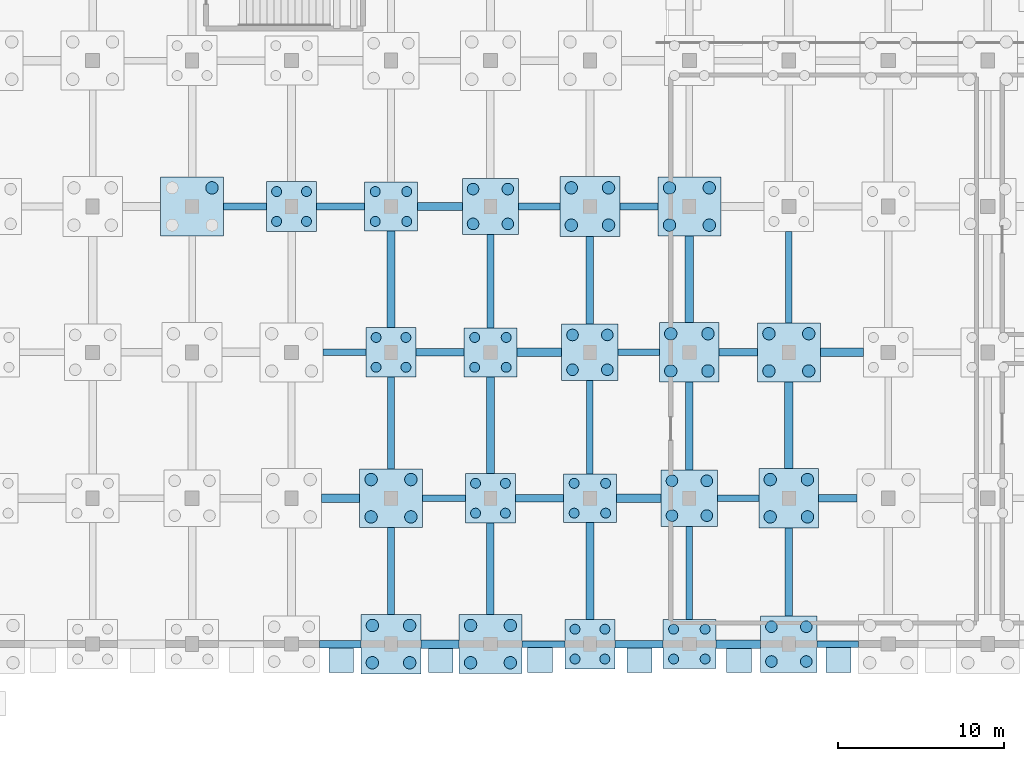
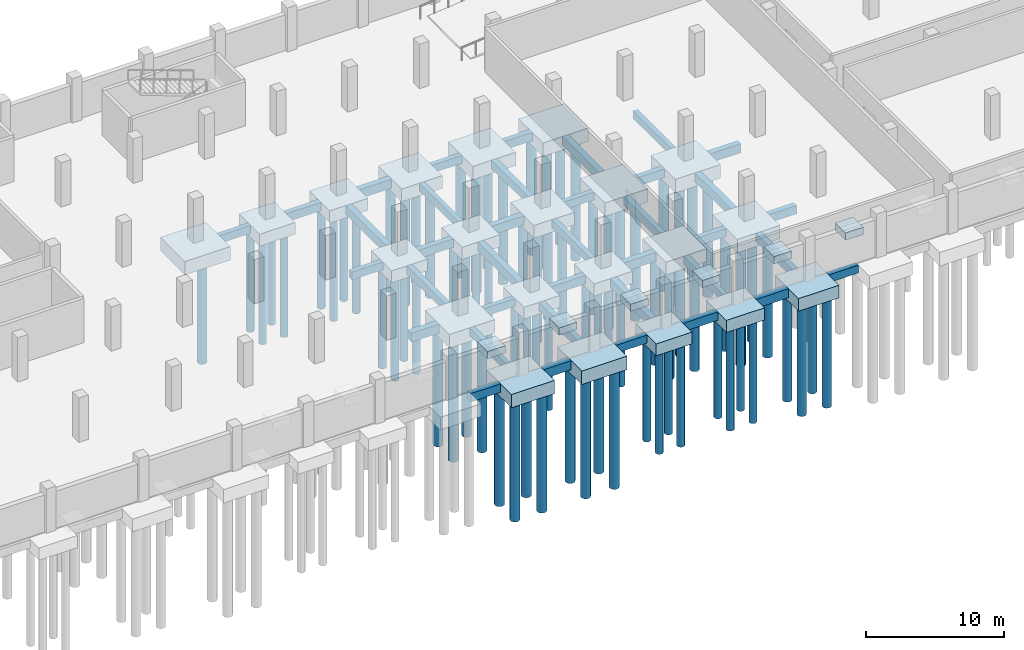
# One storey, part 5 of 28: 81 piles, 65 footings.
"""IFC4 building model written with IfcOpenShell, lengths in metres."""

from ifc_helpers import new_model, si_unit, direction, frame, origin, origin_2d, place, context, subcontext, project, spatial, rectangle, circle, extrude, material, material_profile, profile_set, type_object, element, save


model = new_model("IFC4")

# Units and contexts
model_context = context("Model", 3, precision=1e-05, world=origin(), true_north=direction((0.0, 1.0)))
body_context = subcontext(model_context, "Body", "Model", "MODEL_VIEW")
ifc_project = project(units=[si_unit("LENGTHUNIT", "METRE"), si_unit("AREAUNIT", "SQUARE_METRE"), si_unit("VOLUMEUNIT", "CUBIC_METRE"), si_unit("PLANEANGLEUNIT", "RADIAN"), si_unit("MASSUNIT", "GRAM", prefix="KILO")], contexts=[model_context])

# Site, building, storey
site_placement = place(None, origin())
site = spatial("IfcSite", under=ifc_project, at=site_placement, CompositionType="ELEMENT")
building_placement = place(site_placement, origin())
building = spatial("IfcBuilding", under=site, at=building_placement, Name="Varnakota Cinema and Media Centre", CompositionType="ELEMENT")
storey_placement = place(building_placement, frame((0.0, 0.0, -4.199951171875)))
storey = spatial("IfcBuildingStorey", under=building, at=storey_placement, Name="B1", CompositionType="ELEMENT", Elevation=-4.199951171875)

# Footings
ifc_material_1 = material(Name="Concrete M35", Category="concrete")
ifc_material_profile_1 = material_profile(ifc_material_1, rectangle(XDim=0.39990234375, YDim=0.699951171875, at=origin_2d()), Name="FB 400x700")
ifc_profile_set_1 = profile_set([ifc_material_profile_1], Name="Concrete M35")
footing_type_1 = type_object("IfcFootingType", Name="FB-400x700", PredefinedType="FOOTING_BEAM", material=ifc_profile_set_1)
footing_1_placement = place(storey_placement, frame((106.89990234375, 0.0, -0.60009765625), z_axis=(1.0, 0.0, 0.0), x_axis=(0.0, 1.0, 0.0)))
element("IfcFooting", 1, at=footing_1_placement, inside=storey, type_object=footing_type_1, Name="Foundation tie beam Q-R/1", PredefinedType="FOOTING_BEAM", context=body_context, shape_type="SweptSolid", body=[
    extrude(rectangle(XDim=0.39990234375, YDim=0.699951171875, at=origin_2d()), origin(), (0.0, 0.0, 1.0), 2.60009765625),
])
footing_2_placement = place(storey_placement, frame((124.699951171875, 0.0, -0.60009765625), z_axis=(1.0, 0.0, 0.0), x_axis=(0.0, 1.0, 0.0)))
element("IfcFooting", 2, at=footing_2_placement, inside=storey, type_object=footing_type_1, Name="Foundation tie beam T-U/1", PredefinedType="FOOTING_BEAM", context=body_context, shape_type="SweptSolid", body=[
    extrude(rectangle(XDim=0.39990234375, YDim=0.699951171875, at=origin_2d()), origin(), (0.0, 0.0, 1.0), 2.5),
])
footing_3_placement = place(storey_placement, frame((100.89990234375, 8.800048828125, -0.60009765625), z_axis=(1.0, 0.0, 0.0), x_axis=(0.0, 1.0, 0.0)))
element("IfcFooting", 3, at=footing_3_placement, inside=storey, type_object=footing_type_1, Name="Foundation tie beam P-Q/2", PredefinedType="FOOTING_BEAM", context=body_context, shape_type="SweptSolid", body=[
    extrude(rectangle(XDim=0.39990234375, YDim=0.699951171875, at=origin_2d()), origin(), (0.0, 0.0, 1.0), 2.60009765625),
])
footing_4_placement = place(storey_placement, frame((118.699951171875, 8.800048828125, -0.60009765625), z_axis=(1.0, 0.0, 0.0), x_axis=(0.0, 1.0, 0.0)))
element("IfcFooting", 4, at=footing_4_placement, inside=storey, type_object=footing_type_1, Name="Foundation tie beam S-T/2", PredefinedType="FOOTING_BEAM", context=body_context, shape_type="SweptSolid", body=[
    extrude(rectangle(XDim=0.39990234375, YDim=0.699951171875, at=origin_2d()), origin(), (0.0, 0.0, 1.0), 2.5),
])
footing_5_placement = place(storey_placement, frame((94.89990234375, 17.60009765625, -0.60009765625), z_axis=(1.0, 0.0, 0.0), x_axis=(0.0, 1.0, 0.0)))
element("IfcFooting", 5, at=footing_5_placement, inside=storey, type_object=footing_type_1, Name="Foundation tie beam N-P/3", PredefinedType="FOOTING_BEAM", context=body_context, shape_type="SweptSolid", body=[
    extrude(rectangle(XDim=0.39990234375, YDim=0.699951171875, at=origin_2d()), origin(), (0.0, 0.0, 1.0), 2.60009765625),
])
footing_6_placement = place(storey_placement, frame((112.699951171875, 17.60009765625, -0.60009765625), z_axis=(1.0, 0.0, 0.0), x_axis=(0.0, 1.0, 0.0)))
element("IfcFooting", 6, at=footing_6_placement, inside=storey, type_object=footing_type_1, Name="Foundation tie beam R-S/3", PredefinedType="FOOTING_BEAM", context=body_context, shape_type="SweptSolid", body=[
    extrude(rectangle(XDim=0.39990234375, YDim=0.699951171875, at=origin_2d()), origin(), (0.0, 0.0, 1.0), 2.5),
])
footing_7_placement = place(storey_placement, frame((88.89990234375, 26.39990234375, -0.60009765625), z_axis=(1.0, 0.0, 0.0), x_axis=(0.0, 1.0, 0.0)))
element("IfcFooting", 7, at=footing_7_placement, inside=storey, type_object=footing_type_1, Name="Foundation tie beam M-N/4", PredefinedType="FOOTING_BEAM", context=body_context, shape_type="SweptSolid", body=[
    extrude(rectangle(XDim=0.39990234375, YDim=0.699951171875, at=origin_2d()), origin(), (0.0, 0.0, 1.0), 2.60009765625),
])
footing_8_placement = place(storey_placement, frame((106.699951171875, 26.39990234375, -0.60009765625), z_axis=(1.0, 0.0, 0.0), x_axis=(0.0, 1.0, 0.0)))
element("IfcFooting", 8, at=footing_8_placement, inside=storey, type_object=footing_type_1, Name="Foundation tie beam Q-R/4", PredefinedType="FOOTING_BEAM", context=body_context, shape_type="SweptSolid", body=[
    extrude(rectangle(XDim=0.39990234375, YDim=0.699951171875, at=origin_2d()), origin(), (0.0, 0.0, 1.0), 2.5),
])
footing_9_placement = place(storey_placement, frame((99.0, 1.800048828125, -0.60009765625), z_axis=(0.0, 1.0, 0.0), x_axis=(-1.0, 0.0, 0.0)))
element("IfcFooting", 9, at=footing_9_placement, inside=storey, type_object=footing_type_1, Name="Foundation tie beam P/1-2", PredefinedType="FOOTING_BEAM", context=body_context, shape_type="SweptSolid", body=[
    extrude(rectangle(XDim=0.39990234375, YDim=0.699951171875, at=origin_2d()), origin(), (0.0, 0.0, 1.0), 5.224853515625),
])
for number, where, z_axis, x_axis, name in (
    (10, (105.0, 19.074951171875, -0.60009765625), (0.0, 1.0, 0.0), (-1.0, 0.0, 0.0), "Foundation tie beam Q/3-4"),
    (11, (111.0, 10.27490234375, -0.60009765625), (0.0, 1.0, 0.0), (-1.0, 0.0, 0.0), "Foundation tie beam R/2-3"),
    (12, (117.0, 1.47509765625, -0.60009765625), (0.0, 1.0, 0.0), (-1.0, 0.0, 0.0), "Foundation tie beam S/1-2"),
):
    element("IfcFooting", number, at=place(storey_placement, frame(where, z_axis=z_axis, x_axis=x_axis)), inside=storey, type_object=footing_type_1, Name=name, PredefinedType="FOOTING_BEAM", context=body_context, shape_type="SweptSolid", body=[
        extrude(rectangle(XDim=0.39990234375, YDim=0.699951171875, at=origin_2d()), origin(), (0.0, 0.0, 1.0), 5.625),
    ])
footing_10_placement = place(storey_placement, frame((123.0, 19.375, -0.60009765625), z_axis=(0.0, 1.0, 0.0), x_axis=(-1.0, 0.0, 0.0)))
element("IfcFooting", 13, at=footing_10_placement, inside=storey, type_object=footing_type_1, Name="Foundation tie beam T/3-4", PredefinedType="FOOTING_BEAM", context=body_context, shape_type="SweptSolid", body=[
    extrude(rectangle(XDim=0.39990234375, YDim=0.699951171875, at=origin_2d()), origin(), (0.0, 0.0, 1.0), 5.52490234375),
])
ifc_material_2 = material(Name="Concrete M35", Category="concrete")
ifc_material_profile_2 = material_profile(ifc_material_2, rectangle(XDim=0.449951171875, YDim=0.75, at=origin_2d()), Name="FB 450x750")
ifc_profile_set_2 = profile_set([ifc_material_profile_2], Name="Concrete M35")
footing_type_2 = type_object("IfcFootingType", Name="FB-450x750", PredefinedType="FOOTING_BEAM", material=ifc_profile_set_2)
footing_11_placement = place(storey_placement, frame((94.699951171875, 0.0, -0.625), z_axis=(1.0, 0.0, 0.0), x_axis=(0.0, 1.0, 0.0)))
element("IfcFooting", 14, at=footing_11_placement, inside=storey, type_object=footing_type_2, Name="Foundation tie beam N-P/1", PredefinedType="FOOTING_BEAM", context=body_context, shape_type="SweptSolid", body=[
    extrude(rectangle(XDim=0.449951171875, YDim=0.75, at=origin_2d()), origin(), (0.0, 0.0, 1.0), 2.5),
])
for number, where, z_axis, x_axis, name in (
    (15, (112.5, 0.0, -0.625), (1.0, 0.0, 0.0), (0.0, 1.0, 0.0), "Foundation tie beam R-S/1"),
    (16, (106.5, 8.800048828125, -0.625), (1.0, 0.0, 0.0), (0.0, 1.0, 0.0), "Foundation tie beam Q-R/2"),
):
    element("IfcFooting", number, at=place(storey_placement, frame(where, z_axis=z_axis, x_axis=x_axis)), inside=storey, type_object=footing_type_2, Name=name, PredefinedType="FOOTING_BEAM", context=body_context, shape_type="SweptSolid", body=[
        extrude(rectangle(XDim=0.449951171875, YDim=0.75, at=origin_2d()), origin(), (0.0, 0.0, 1.0), 2.89990234375),
    ])
footing_12_placement = place(storey_placement, frame((124.800048828125, 8.800048828125, -0.625), z_axis=(1.0, 0.0, 0.0), x_axis=(0.0, 1.0, 0.0)))
element("IfcFooting", 17, at=footing_12_placement, inside=storey, type_object=footing_type_2, Name="Foundation tie beam T-U/2", PredefinedType="FOOTING_BEAM", context=body_context, shape_type="SweptSolid", body=[
    extrude(rectangle(XDim=0.449951171875, YDim=0.75, at=origin_2d()), origin(), (0.0, 0.0, 1.0), 2.300048828125),
])
footing_13_placement = place(storey_placement, frame((100.5, 17.60009765625, -0.625), z_axis=(1.0, 0.0, 0.0), x_axis=(0.0, 1.0, 0.0)))
element("IfcFooting", 18, at=footing_13_placement, inside=storey, type_object=footing_type_2, Name="Foundation tie beam P-Q/3", PredefinedType="FOOTING_BEAM", context=body_context, shape_type="SweptSolid", body=[
    extrude(rectangle(XDim=0.449951171875, YDim=0.75, at=origin_2d()), origin(), (0.0, 0.0, 1.0), 2.89990234375),
])
footing_14_placement = place(storey_placement, frame((118.800048828125, 17.60009765625, -0.625), z_axis=(1.0, 0.0, 0.0), x_axis=(0.0, 1.0, 0.0)))
element("IfcFooting", 19, at=footing_14_placement, inside=storey, type_object=footing_type_2, Name="Foundation tie beam S-T/3", PredefinedType="FOOTING_BEAM", context=body_context, shape_type="SweptSolid", body=[
    extrude(rectangle(XDim=0.449951171875, YDim=0.75, at=origin_2d()), origin(), (0.0, 0.0, 1.0), 2.300048828125),
])
footing_15_placement = place(storey_placement, frame((94.5, 26.39990234375, -0.625), z_axis=(1.0, 0.0, 0.0), x_axis=(0.0, 1.0, 0.0)))
element("IfcFooting", 20, at=footing_15_placement, inside=storey, type_object=footing_type_2, Name="Foundation tie beam N-P/4", PredefinedType="FOOTING_BEAM", context=body_context, shape_type="SweptSolid", body=[
    extrude(rectangle(XDim=0.449951171875, YDim=0.75, at=origin_2d()), origin(), (0.0, 0.0, 1.0), 2.89990234375),
])
footing_16_placement = place(storey_placement, frame((112.800048828125, 26.39990234375, -0.625), z_axis=(1.0, 0.0, 0.0), x_axis=(0.0, 1.0, 0.0)))
element("IfcFooting", 21, at=footing_16_placement, inside=storey, type_object=footing_type_2, Name="Foundation tie beam R-S/4", PredefinedType="FOOTING_BEAM", context=body_context, shape_type="SweptSolid", body=[
    extrude(rectangle(XDim=0.449951171875, YDim=0.75, at=origin_2d()), origin(), (0.0, 0.0, 1.0), 2.300048828125),
])
for number, where, z_axis, x_axis, name in (
    (22, (99.0, 10.574951171875, -0.625), (0.0, 1.0, 0.0), (-1.0, 0.0, 0.0), "Foundation tie beam P/2-3"),
    (23, (105.0, 1.77490234375, -0.625), (0.0, 1.0, 0.0), (-1.0, 0.0, 0.0), "Foundation tie beam Q/1-2"),
):
    element("IfcFooting", number, at=place(storey_placement, frame(where, z_axis=z_axis, x_axis=x_axis)), inside=storey, type_object=footing_type_2, Name=name, PredefinedType="FOOTING_BEAM", context=body_context, shape_type="SweptSolid", body=[
        extrude(rectangle(XDim=0.449951171875, YDim=0.75, at=origin_2d()), origin(), (0.0, 0.0, 1.0), 5.525146484375),
    ])
for number, where, z_axis, x_axis, name in (
    (24, (111.0, 19.300048828125, -0.625), (0.0, 1.0, 0.0), (-1.0, 0.0, 0.0), "Foundation tie beam R/3-4"),
    (25, (117.0, 10.5, -0.625), (0.0, 1.0, 0.0), (-1.0, 0.0, 0.0), "Foundation tie beam S/2-3"),
    (26, (123.0, 1.699951171875, -0.625), (0.0, 1.0, 0.0), (-1.0, 0.0, 0.0), "Foundation tie beam T/1-2"),
):
    element("IfcFooting", number, at=place(storey_placement, frame(where, z_axis=z_axis, x_axis=x_axis)), inside=storey, type_object=footing_type_2, Name=name, PredefinedType="FOOTING_BEAM", context=body_context, shape_type="SweptSolid", body=[
        extrude(rectangle(XDim=0.449951171875, YDim=0.75, at=origin_2d()), origin(), (0.0, 0.0, 1.0), 5.300048828125),
    ])
ifc_material_3 = material(Name="Concrete M35", Category="concrete")
ifc_material_profile_3 = material_profile(ifc_material_3, rectangle(XDim=0.5, YDim=0.800048828125, at=origin_2d()), Name="FB 500x800")
ifc_profile_set_3 = profile_set([ifc_material_profile_3], Name="Concrete M35")
footing_type_3 = type_object("IfcFootingType", Name="FB-500x800", PredefinedType="FOOTING_BEAM", material=ifc_profile_set_3)
footing_17_placement = place(storey_placement, frame((100.800048828125, 0.0, -0.650146484375), z_axis=(1.0, 0.0, 0.0), x_axis=(0.0, 1.0, 0.0)))
element("IfcFooting", 27, at=footing_17_placement, inside=storey, type_object=footing_type_3, Name="Foundation tie beam P-Q/1", PredefinedType="FOOTING_BEAM", context=body_context, shape_type="SweptSolid", body=[
    extrude(rectangle(XDim=0.5, YDim=0.800048828125, at=origin_2d()), origin(), (0.0, 0.0, 1.0), 2.300048828125),
])
footing_18_placement = place(storey_placement, frame((118.60009765625, 0.0, -0.650146484375), z_axis=(1.0, 0.0, 0.0), x_axis=(0.0, 1.0, 0.0)))
element("IfcFooting", 28, at=footing_18_placement, inside=storey, type_object=footing_type_3, Name="Foundation tie beam S-T/1", PredefinedType="FOOTING_BEAM", context=body_context, shape_type="SweptSolid", body=[
    extrude(rectangle(XDim=0.5, YDim=0.800048828125, at=origin_2d()), origin(), (0.0, 0.0, 1.0), 2.699951171875),
])
footing_19_placement = place(storey_placement, frame((94.800048828125, 8.800048828125, -0.650146484375), z_axis=(1.0, 0.0, 0.0), x_axis=(0.0, 1.0, 0.0)))
element("IfcFooting", 29, at=footing_19_placement, inside=storey, type_object=footing_type_3, Name="Foundation tie beam N-P/2", PredefinedType="FOOTING_BEAM", context=body_context, shape_type="SweptSolid", body=[
    extrude(rectangle(XDim=0.5, YDim=0.800048828125, at=origin_2d()), origin(), (0.0, 0.0, 1.0), 2.300048828125),
])
for number, where, z_axis, x_axis, name in (
    (30, (112.60009765625, 8.800048828125, -0.650146484375), (1.0, 0.0, 0.0), (0.0, 1.0, 0.0), "Foundation tie beam R-S/2"),
    (31, (106.60009765625, 17.60009765625, -0.650146484375), (1.0, 0.0, 0.0), (0.0, 1.0, 0.0), "Foundation tie beam Q-R/3"),
):
    element("IfcFooting", number, at=place(storey_placement, frame(where, z_axis=z_axis, x_axis=x_axis)), inside=storey, type_object=footing_type_3, Name=name, PredefinedType="FOOTING_BEAM", context=body_context, shape_type="SweptSolid", body=[
        extrude(rectangle(XDim=0.5, YDim=0.800048828125, at=origin_2d()), origin(), (0.0, 0.0, 1.0), 2.699951171875),
    ])
footing_20_placement = place(storey_placement, frame((124.89990234375, 17.60009765625, -0.650146484375), z_axis=(1.0, 0.0, 0.0), x_axis=(0.0, 1.0, 0.0)))
element("IfcFooting", 32, at=footing_20_placement, inside=storey, type_object=footing_type_3, Name="Foundation tie beam T-U/3", PredefinedType="FOOTING_BEAM", context=body_context, shape_type="SweptSolid", body=[
    extrude(rectangle(XDim=0.5, YDim=0.800048828125, at=origin_2d()), origin(), (0.0, 0.0, 1.0), 2.60009765625),
])
footing_21_placement = place(storey_placement, frame((100.60009765625, 26.39990234375, -0.650146484375), z_axis=(1.0, 0.0, 0.0), x_axis=(0.0, 1.0, 0.0)))
element("IfcFooting", 33, at=footing_21_placement, inside=storey, type_object=footing_type_3, Name="Foundation tie beam P-Q/4", PredefinedType="FOOTING_BEAM", context=body_context, shape_type="SweptSolid", body=[
    extrude(rectangle(XDim=0.5, YDim=0.800048828125, at=origin_2d()), origin(), (0.0, 0.0, 1.0), 2.699951171875),
])
for number, where, z_axis, x_axis, name in (
    (34, (99.0, 19.10009765625, -0.650146484375), (0.0, 1.0, 0.0), (-1.0, 0.0, 0.0), "Foundation tie beam P/3-4"),
    (35, (105.0, 10.300048828125, -0.650146484375), (0.0, 1.0, 0.0), (-1.0, 0.0, 0.0), "Foundation tie beam Q/2-3"),
    (36, (111.0, 1.5, -0.650146484375), (0.0, 1.0, 0.0), (-1.0, 0.0, 0.0), "Foundation tie beam R/1-2"),
):
    element("IfcFooting", number, at=place(storey_placement, frame(where, z_axis=z_axis, x_axis=x_axis)), inside=storey, type_object=footing_type_3, Name=name, PredefinedType="FOOTING_BEAM", context=body_context, shape_type="SweptSolid", body=[
        extrude(rectangle(XDim=0.5, YDim=0.800048828125, at=origin_2d()), origin(), (0.0, 0.0, 1.0), 5.824951171875),
    ])
footing_22_placement = place(storey_placement, frame((117.0, 19.39990234375, -0.650146484375), z_axis=(0.0, 1.0, 0.0), x_axis=(-1.0, 0.0, 0.0)))
element("IfcFooting", 37, at=footing_22_placement, inside=storey, type_object=footing_type_3, Name="Foundation tie beam S/3-4", PredefinedType="FOOTING_BEAM", context=body_context, shape_type="SweptSolid", body=[
    extrude(rectangle(XDim=0.5, YDim=0.800048828125, at=origin_2d()), origin(), (0.0, 0.0, 1.0), 5.22509765625),
])
footing_23_placement = place(storey_placement, frame((123.0, 10.60009765625, -0.650146484375), z_axis=(0.0, 1.0, 0.0), x_axis=(-1.0, 0.0, 0.0)))
element("IfcFooting", 38, at=footing_23_placement, inside=storey, type_object=footing_type_3, Name="Foundation tie beam T/2-3", PredefinedType="FOOTING_BEAM", context=body_context, shape_type="SweptSolid", body=[
    extrude(rectangle(XDim=0.5, YDim=0.800048828125, at=origin_2d()), origin(), (0.0, 0.0, 1.0), 5.224853515625),
])
ifc_material_4 = material(Name="Concrete M35", Category="concrete")
footing_type_4 = type_object("IfcFootingType", Name="PC-4P-600", PredefinedType="PILE_CAP", material=ifc_material_4)
for number, where, z_axis, x_axis, name in (
    (39, (93.0, 26.39990234375, -1.30029296875), (0.0, 0.0, 1.0), (1.0, 0.0, 0.0), "Pile cap N/4"),
    (40, (99.0, 17.60009765625, -1.30029296875), (0.0, 0.0, 1.0), (1.0, 0.0, 0.0), "Pile cap P/3"),
    (41, (105.0, 8.800048828125, -1.30029296875), (0.0, 0.0, 1.0), (1.0, 0.0, 0.0), "Pile cap Q/2"),
    (42, (111.0, 0.0, -1.30029296875), (0.0, 0.0, 1.0), (1.0, 0.0, 0.0), "Pile cap R/1"),
):
    element("IfcFooting", number, at=place(storey_placement, frame(where, z_axis=z_axis, x_axis=x_axis)), inside=storey, type_object=footing_type_4, Name=name, PredefinedType="PILE_CAP", context=body_context, shape_type="SweptSolid", body=[
        extrude(rectangle(XDim=3.0, YDim=3.0, at=origin_2d()), origin(), (0.0, 0.0, 1.0), 1.050048828125),
    ])
ifc_material_5 = material(Name="Concrete M35", Category="concrete")
footing_type_5 = type_object("IfcFootingType", Name="PC-4P-600R", PredefinedType="PILE_CAP", material=ifc_material_5)
for number, where, z_axis, x_axis, name in (
    (43, (99.0, 26.39990234375, -1.330078125), (0.0, 0.0, 1.0), (1.0, 0.0, 0.0), "Pile cap P/4"),
    (44, (105.0, 17.60009765625, -1.330078125), (0.0, 0.0, 1.0), (1.0, 0.0, 0.0), "Pile cap Q/3"),
    (45, (111.0, 8.800048828125, -1.330078125), (0.0, 0.0, 1.0), (1.0, 0.0, 0.0), "Pile cap R/2"),
    (46, (117.0, 0.0, -1.330078125), (0.0, 0.0, 1.0), (1.0, 0.0, 0.0), "Pile cap S/1"),
):
    element("IfcFooting", number, at=place(storey_placement, frame(where, z_axis=z_axis, x_axis=x_axis)), inside=storey, type_object=footing_type_5, Name=name, PredefinedType="PILE_CAP", context=body_context, shape_type="SweptSolid", body=[
        extrude(rectangle(XDim=3.199951171875, YDim=2.949951171875, at=origin_2d()), origin(), (0.0, 0.0, 1.0), 1.080078125),
    ])
ifc_material_6 = material(Name="Concrete M35", Category="concrete")
footing_type_6 = type_object("IfcFootingType", Name="PC-4P-700", PredefinedType="PILE_CAP", material=ifc_material_6)
for number, where, z_axis, x_axis, name in (
    (47, (105.0, 26.39990234375, -1.3701171875), (0.0, 0.0, 1.0), (1.0, 0.0, 0.0), "Pile cap Q/4"),
    (48, (111.0, 17.60009765625, -1.3701171875), (0.0, 0.0, 1.0), (1.0, 0.0, 0.0), "Pile cap R/3"),
    (49, (117.0, 8.800048828125, -1.3701171875), (0.0, 0.0, 1.0), (1.0, 0.0, 0.0), "Pile cap S/2"),
    (50, (123.0, 0.0, -1.3701171875), (0.0, 0.0, 1.0), (1.0, 0.0, 0.0), "Pile cap T/1"),
):
    element("IfcFooting", number, at=place(storey_placement, frame(where, z_axis=z_axis, x_axis=x_axis)), inside=storey, type_object=footing_type_6, Name=name, PredefinedType="PILE_CAP", context=body_context, shape_type="SweptSolid", body=[
        extrude(rectangle(XDim=3.39990234375, YDim=3.39990234375, at=origin_2d()), origin(), (0.0, 0.0, 1.0), 1.1201171875),
    ])
ifc_material_7 = material(Name="Concrete M35", Category="concrete")
footing_type_7 = type_object("IfcFootingType", Name="PC-4P-750", PredefinedType="PILE_CAP", material=ifc_material_7)
for number, where, z_axis, x_axis, name in (
    (51, (99.0, 0.0, -1.43017578125), (0.0, 0.0, 1.0), (1.0, 0.0, 0.0), "Pile cap P/1"),
    (52, (111.0, 26.39990234375, -1.43017578125), (0.0, 0.0, 1.0), (1.0, 0.0, 0.0), "Pile cap R/4"),
    (53, (117.0, 17.60009765625, -1.43017578125), (0.0, 0.0, 1.0), (1.0, 0.0, 0.0), "Pile cap S/3"),
    (54, (123.0, 8.800048828125, -1.43017578125), (0.0, 0.0, 1.0), (1.0, 0.0, 0.0), "Pile cap T/2"),
):
    element("IfcFooting", number, at=place(storey_placement, frame(where, z_axis=z_axis, x_axis=x_axis)), inside=storey, type_object=footing_type_7, Name=name, PredefinedType="PILE_CAP", context=body_context, shape_type="SweptSolid", body=[
        extrude(rectangle(XDim=3.60009765625, YDim=3.60009765625, at=origin_2d()), origin(), (0.0, 0.0, 1.0), 1.179931640625),
    ])
ifc_material_8 = material(Name="Concrete M35", Category="concrete")
footing_type_8 = type_object("IfcFootingType", Name="PC-4P-750R", PredefinedType="PILE_CAP", material=ifc_material_8)
for number, where, z_axis, x_axis, name in (
    (55, (87.0, 26.39990234375, -1.4501953125), (0.0, 0.0, 1.0), (1.0, 0.0, 0.0), "Pile cap M/4"),
    (56, (99.0, 8.800048828125, -1.4501953125), (0.0, 0.0, 1.0), (1.0, 0.0, 0.0), "Pile cap P/2"),
    (57, (105.0, 0.0, -1.4501953125), (0.0, 0.0, 1.0), (1.0, 0.0, 0.0), "Pile cap Q/1"),
    (58, (117.0, 26.39990234375, -1.4501953125), (0.0, 0.0, 1.0), (1.0, 0.0, 0.0), "Pile cap S/4"),
    (59, (123.0, 17.60009765625, -1.4501953125), (0.0, 0.0, 1.0), (1.0, 0.0, 0.0), "Pile cap T/3"),
):
    element("IfcFooting", number, at=place(storey_placement, frame(where, z_axis=z_axis, x_axis=x_axis)), inside=storey, type_object=footing_type_8, Name=name, PredefinedType="PILE_CAP", context=body_context, shape_type="SweptSolid", body=[
        extrude(rectangle(XDim=3.800048828125, YDim=3.550048828125, at=origin_2d()), origin(), (0.0, 0.0, 1.0), 1.199951171875),
    ])
ifc_material_9 = material(Name="Concrete M35", Category="concrete")
footing_type_9 = type_object("IfcFootingType", Name="PF-150", PredefinedType="PAD_FOOTING", material=ifc_material_9)
for number, where, z_axis, x_axis, name in (
    (60, (96.0, -0.949951171875, 3.52490234375), (0.0, 0.0, 1.0), (1.0, 0.0, 0.0), "Hall south buttress pad footing 4"),
    (61, (102.0, -0.949951171875, 3.52490234375), (0.0, 0.0, 1.0), (1.0, 0.0, 0.0), "Hall south buttress pad footing 5"),
    (62, (108.0, -0.949951171875, 3.52490234375), (0.0, 0.0, 1.0), (1.0, 0.0, 0.0), "Hall south buttress pad footing 6"),
    (63, (114.0, -0.949951171875, 3.52490234375), (0.0, 0.0, 1.0), (1.0, 0.0, 0.0), "Hall south buttress pad footing 7"),
    (64, (120.0, -0.949951171875, 3.52490234375), (0.0, 0.0, 1.0), (1.0, 0.0, 0.0), "Hall south buttress pad footing 8"),
    (65, (126.0, -0.949951171875, 3.52490234375), (0.0, 0.0, 1.0), (1.0, 0.0, 0.0), "Hall south buttress pad footing 9"),
):
    element("IfcFooting", number, at=place(storey_placement, frame(where, z_axis=z_axis, x_axis=x_axis)), inside=storey, type_object=footing_type_9, Name=name, PredefinedType="PAD_FOOTING", context=body_context, shape_type="SweptSolid", body=[
        extrude(rectangle(XDim=1.5, YDim=1.5, at=origin_2d()), origin(), (0.0, 0.0, 1.0), 0.64990234375),
    ])

# Piles
ifc_material_10 = material(Name="Concrete M35", Category="concrete")
ifc_material_profile_4 = material_profile(ifc_material_10, circle(Radius=0.300048828125, at=origin_2d()), Name="PILE D600")
ifc_profile_set_4 = profile_set([ifc_material_profile_4], Name="Concrete M35")
pile_type_1 = type_object("IfcPileType", Name="PILE-D600", PredefinedType="BORED", material=ifc_profile_set_4)
for number, where, z_axis, x_axis, name in (
    (66, (92.10009765625, 25.5, -1.199951171875), (0.0, 0.0, -1.0), (1.0, 0.0, 0.0), "Bored pile N/4-1"),
    (67, (93.89990234375, 25.5, -1.199951171875), (0.0, 0.0, -1.0), (1.0, 0.0, 0.0), "Bored pile N/4-2"),
    (68, (92.10009765625, 27.300048828125, -1.199951171875), (0.0, 0.0, -1.0), (1.0, 0.0, 0.0), "Bored pile N/4-3"),
    (69, (93.89990234375, 27.300048828125, -1.199951171875), (0.0, 0.0, -1.0), (1.0, 0.0, 0.0), "Bored pile N/4-4"),
    (70, (98.10009765625, 16.699951171875, -1.199951171875), (0.0, 0.0, -1.0), (1.0, 0.0, 0.0), "Bored pile P/3-1"),
    (71, (99.89990234375, 16.699951171875, -1.199951171875), (0.0, 0.0, -1.0), (1.0, 0.0, 0.0), "Bored pile P/3-2"),
    (72, (98.10009765625, 18.5, -1.199951171875), (0.0, 0.0, -1.0), (1.0, 0.0, 0.0), "Bored pile P/3-3"),
    (73, (99.89990234375, 18.5, -1.199951171875), (0.0, 0.0, -1.0), (1.0, 0.0, 0.0), "Bored pile P/3-4"),
    (74, (98.050048828125, 25.5, -1.22998046875), (0.0, 0.0, -1.0), (1.0, 0.0, 0.0), "Bored pile P/4-1"),
    (75, (99.949951171875, 25.5, -1.22998046875), (0.0, 0.0, -1.0), (1.0, 0.0, 0.0), "Bored pile P/4-2"),
    (76, (98.050048828125, 27.300048828125, -1.22998046875), (0.0, 0.0, -1.0), (1.0, 0.0, 0.0), "Bored pile P/4-3"),
    (77, (99.949951171875, 27.300048828125, -1.22998046875), (0.0, 0.0, -1.0), (1.0, 0.0, 0.0), "Bored pile P/4-4"),
    (78, (104.10009765625, 7.89990234375, -1.199951171875), (0.0, 0.0, -1.0), (1.0, 0.0, 0.0), "Bored pile Q/2-1"),
    (79, (105.89990234375, 7.89990234375, -1.199951171875), (0.0, 0.0, -1.0), (1.0, 0.0, 0.0), "Bored pile Q/2-2"),
    (80, (104.10009765625, 9.699951171875, -1.199951171875), (0.0, 0.0, -1.0), (1.0, 0.0, 0.0), "Bored pile Q/2-3"),
    (81, (105.89990234375, 9.699951171875, -1.199951171875), (0.0, 0.0, -1.0), (1.0, 0.0, 0.0), "Bored pile Q/2-4"),
    (82, (104.050048828125, 16.699951171875, -1.22998046875), (0.0, 0.0, -1.0), (1.0, 0.0, 0.0), "Bored pile Q/3-1"),
    (83, (105.949951171875, 16.699951171875, -1.22998046875), (0.0, 0.0, -1.0), (1.0, 0.0, 0.0), "Bored pile Q/3-2"),
    (84, (104.050048828125, 18.5, -1.22998046875), (0.0, 0.0, -1.0), (1.0, 0.0, 0.0), "Bored pile Q/3-3"),
    (85, (105.949951171875, 18.5, -1.22998046875), (0.0, 0.0, -1.0), (1.0, 0.0, 0.0), "Bored pile Q/3-4"),
    (86, (110.10009765625, -0.89990234375, -1.199951171875), (0.0, 0.0, -1.0), (1.0, 0.0, 0.0), "Bored pile R/1-1"),
    (87, (111.89990234375, -0.89990234375, -1.199951171875), (0.0, 0.0, -1.0), (1.0, 0.0, 0.0), "Bored pile R/1-2"),
    (88, (110.10009765625, 0.89990234375, -1.199951171875), (0.0, 0.0, -1.0), (1.0, 0.0, 0.0), "Bored pile R/1-3"),
    (89, (111.89990234375, 0.89990234375, -1.199951171875), (0.0, 0.0, -1.0), (1.0, 0.0, 0.0), "Bored pile R/1-4"),
    (90, (110.050048828125, 7.89990234375, -1.22998046875), (0.0, 0.0, -1.0), (1.0, 0.0, 0.0), "Bored pile R/2-1"),
    (91, (111.949951171875, 7.89990234375, -1.22998046875), (0.0, 0.0, -1.0), (1.0, 0.0, 0.0), "Bored pile R/2-2"),
    (92, (110.050048828125, 9.699951171875, -1.22998046875), (0.0, 0.0, -1.0), (1.0, 0.0, 0.0), "Bored pile R/2-3"),
    (93, (111.949951171875, 9.699951171875, -1.22998046875), (0.0, 0.0, -1.0), (1.0, 0.0, 0.0), "Bored pile R/2-4"),
    (94, (116.050048828125, -0.89990234375, -1.22998046875), (0.0, 0.0, -1.0), (1.0, 0.0, 0.0), "Bored pile S/1-1"),
    (95, (117.949951171875, -0.89990234375, -1.22998046875), (0.0, 0.0, -1.0), (1.0, 0.0, 0.0), "Bored pile S/1-2"),
    (96, (116.050048828125, 0.89990234375, -1.22998046875), (0.0, 0.0, -1.0), (1.0, 0.0, 0.0), "Bored pile S/1-3"),
    (97, (117.949951171875, 0.89990234375, -1.22998046875), (0.0, 0.0, -1.0), (1.0, 0.0, 0.0), "Bored pile S/1-4"),
):
    element("IfcPile", number, at=place(storey_placement, frame(where, z_axis=z_axis, x_axis=x_axis)), inside=storey, type_object=pile_type_1, Name=name, PredefinedType="BORED", context=body_context, shape_type="SweptSolid", body=[
        extrude(circle(Radius=0.300048828125, at=origin_2d()), origin(), (0.0, 0.0, 1.0), 9.199951171875),
    ])
ifc_material_11 = material(Name="Concrete M35", Category="concrete")
ifc_material_profile_5 = material_profile(ifc_material_11, circle(Radius=0.35009765625, at=origin_2d()), Name="PILE D700")
ifc_profile_set_5 = profile_set([ifc_material_profile_5], Name="Concrete M35")
pile_type_2 = type_object("IfcPileType", Name="PILE-D700", PredefinedType="BORED", material=ifc_profile_set_5)
for number, where, z_axis, x_axis, name in (
    (98, (103.949951171875, 25.35009765625, -1.27001953125), (0.0, 0.0, -1.0), (1.0, 0.0, 0.0), "Bored pile Q/4-1"),
    (99, (106.050048828125, 25.35009765625, -1.27001953125), (0.0, 0.0, -1.0), (1.0, 0.0, 0.0), "Bored pile Q/4-2"),
    (100, (103.949951171875, 27.449951171875, -1.27001953125), (0.0, 0.0, -1.0), (1.0, 0.0, 0.0), "Bored pile Q/4-3"),
    (101, (106.050048828125, 27.449951171875, -1.27001953125), (0.0, 0.0, -1.0), (1.0, 0.0, 0.0), "Bored pile Q/4-4"),
    (102, (109.949951171875, 16.550048828125, -1.27001953125), (0.0, 0.0, -1.0), (1.0, 0.0, 0.0), "Bored pile R/3-1"),
    (103, (112.050048828125, 16.550048828125, -1.27001953125), (0.0, 0.0, -1.0), (1.0, 0.0, 0.0), "Bored pile R/3-2"),
    (104, (109.949951171875, 18.64990234375, -1.27001953125), (0.0, 0.0, -1.0), (1.0, 0.0, 0.0), "Bored pile R/3-3"),
    (105, (112.050048828125, 18.64990234375, -1.27001953125), (0.0, 0.0, -1.0), (1.0, 0.0, 0.0), "Bored pile R/3-4"),
    (106, (115.949951171875, 7.75, -1.27001953125), (0.0, 0.0, -1.0), (1.0, 0.0, 0.0), "Bored pile S/2-1"),
    (107, (118.050048828125, 7.75, -1.27001953125), (0.0, 0.0, -1.0), (1.0, 0.0, 0.0), "Bored pile S/2-2"),
    (108, (115.949951171875, 9.85009765625, -1.27001953125), (0.0, 0.0, -1.0), (1.0, 0.0, 0.0), "Bored pile S/2-3"),
    (109, (118.050048828125, 9.85009765625, -1.27001953125), (0.0, 0.0, -1.0), (1.0, 0.0, 0.0), "Bored pile S/2-4"),
    (110, (121.949951171875, -1.050048828125, -1.27001953125), (0.0, 0.0, -1.0), (1.0, 0.0, 0.0), "Bored pile T/1-1"),
    (111, (124.050048828125, -1.050048828125, -1.27001953125), (0.0, 0.0, -1.0), (1.0, 0.0, 0.0), "Bored pile T/1-2"),
    (112, (121.949951171875, 1.050048828125, -1.27001953125), (0.0, 0.0, -1.0), (1.0, 0.0, 0.0), "Bored pile T/1-3"),
    (113, (124.050048828125, 1.050048828125, -1.27001953125), (0.0, 0.0, -1.0), (1.0, 0.0, 0.0), "Bored pile T/1-4"),
):
    element("IfcPile", number, at=place(storey_placement, frame(where, z_axis=z_axis, x_axis=x_axis)), inside=storey, type_object=pile_type_2, Name=name, PredefinedType="BORED", context=body_context, shape_type="SweptSolid", body=[
        extrude(circle(Radius=0.35009765625, at=origin_2d()), origin(), (0.0, 0.0, 1.0), 9.800048828125),
    ])
ifc_material_12 = material(Name="Concrete M35", Category="concrete")
ifc_material_profile_6 = material_profile(ifc_material_12, circle(Radius=0.375, at=origin_2d()), Name="PILE D750")
ifc_profile_set_6 = profile_set([ifc_material_profile_6], Name="Concrete M35")
pile_type_3 = type_object("IfcPileType", Name="PILE-D750", PredefinedType="BORED", material=ifc_profile_set_6)
for number, where, z_axis, x_axis, name in (
    (114, (88.199951171875, 27.52490234375, -1.35009765625), (0.0, 0.0, -1.0), (1.0, 0.0, 0.0), "Bored pile M/4-4"),
    (115, (97.875, -1.125, -1.330078125), (0.0, 0.0, -1.0), (1.0, 0.0, 0.0), "Bored pile P/1-1"),
    (116, (100.125, -1.125, -1.330078125), (0.0, 0.0, -1.0), (1.0, 0.0, 0.0), "Bored pile P/1-2"),
    (117, (97.875, 1.125, -1.330078125), (0.0, 0.0, -1.0), (1.0, 0.0, 0.0), "Bored pile P/1-3"),
    (118, (100.125, 1.125, -1.330078125), (0.0, 0.0, -1.0), (1.0, 0.0, 0.0), "Bored pile P/1-4"),
    (119, (97.800048828125, 7.675048828125, -1.35009765625), (0.0, 0.0, -1.0), (1.0, 0.0, 0.0), "Bored pile P/2-1"),
    (120, (100.199951171875, 7.675048828125, -1.35009765625), (0.0, 0.0, -1.0), (1.0, 0.0, 0.0), "Bored pile P/2-2"),
    (121, (97.800048828125, 9.925048828125, -1.35009765625), (0.0, 0.0, -1.0), (1.0, 0.0, 0.0), "Bored pile P/2-3"),
    (122, (100.199951171875, 9.925048828125, -1.35009765625), (0.0, 0.0, -1.0), (1.0, 0.0, 0.0), "Bored pile P/2-4"),
    (123, (103.800048828125, -1.125, -1.35009765625), (0.0, 0.0, -1.0), (1.0, 0.0, 0.0), "Bored pile Q/1-1"),
    (124, (106.199951171875, -1.125, -1.35009765625), (0.0, 0.0, -1.0), (1.0, 0.0, 0.0), "Bored pile Q/1-2"),
    (125, (103.800048828125, 1.125, -1.35009765625), (0.0, 0.0, -1.0), (1.0, 0.0, 0.0), "Bored pile Q/1-3"),
    (126, (106.199951171875, 1.125, -1.35009765625), (0.0, 0.0, -1.0), (1.0, 0.0, 0.0), "Bored pile Q/1-4"),
    (127, (109.875, 25.27490234375, -1.330078125), (0.0, 0.0, -1.0), (1.0, 0.0, 0.0), "Bored pile R/4-1"),
    (128, (112.125, 25.27490234375, -1.330078125), (0.0, 0.0, -1.0), (1.0, 0.0, 0.0), "Bored pile R/4-2"),
    (129, (109.875, 27.52490234375, -1.330078125), (0.0, 0.0, -1.0), (1.0, 0.0, 0.0), "Bored pile R/4-3"),
    (130, (112.125, 27.52490234375, -1.330078125), (0.0, 0.0, -1.0), (1.0, 0.0, 0.0), "Bored pile R/4-4"),
    (131, (115.875, 16.47509765625, -1.330078125), (0.0, 0.0, -1.0), (1.0, 0.0, 0.0), "Bored pile S/3-1"),
    (132, (118.125, 16.47509765625, -1.330078125), (0.0, 0.0, -1.0), (1.0, 0.0, 0.0), "Bored pile S/3-2"),
    (133, (115.875, 18.72509765625, -1.330078125), (0.0, 0.0, -1.0), (1.0, 0.0, 0.0), "Bored pile S/3-3"),
    (134, (118.125, 18.72509765625, -1.330078125), (0.0, 0.0, -1.0), (1.0, 0.0, 0.0), "Bored pile S/3-4"),
    (135, (115.800048828125, 25.27490234375, -1.35009765625), (0.0, 0.0, -1.0), (1.0, 0.0, 0.0), "Bored pile S/4-1"),
    (136, (118.199951171875, 25.27490234375, -1.35009765625), (0.0, 0.0, -1.0), (1.0, 0.0, 0.0), "Bored pile S/4-2"),
    (137, (115.800048828125, 27.52490234375, -1.35009765625), (0.0, 0.0, -1.0), (1.0, 0.0, 0.0), "Bored pile S/4-3"),
    (138, (118.199951171875, 27.52490234375, -1.35009765625), (0.0, 0.0, -1.0), (1.0, 0.0, 0.0), "Bored pile S/4-4"),
    (139, (121.875, 7.675048828125, -1.330078125), (0.0, 0.0, -1.0), (1.0, 0.0, 0.0), "Bored pile T/2-1"),
    (140, (124.125, 7.675048828125, -1.330078125), (0.0, 0.0, -1.0), (1.0, 0.0, 0.0), "Bored pile T/2-2"),
    (141, (121.875, 9.925048828125, -1.330078125), (0.0, 0.0, -1.0), (1.0, 0.0, 0.0), "Bored pile T/2-3"),
    (142, (124.125, 9.925048828125, -1.330078125), (0.0, 0.0, -1.0), (1.0, 0.0, 0.0), "Bored pile T/2-4"),
    (143, (121.800048828125, 16.47509765625, -1.35009765625), (0.0, 0.0, -1.0), (1.0, 0.0, 0.0), "Bored pile T/3-1"),
    (144, (124.199951171875, 16.47509765625, -1.35009765625), (0.0, 0.0, -1.0), (1.0, 0.0, 0.0), "Bored pile T/3-2"),
    (145, (121.800048828125, 18.72509765625, -1.35009765625), (0.0, 0.0, -1.0), (1.0, 0.0, 0.0), "Bored pile T/3-3"),
    (146, (124.199951171875, 18.72509765625, -1.35009765625), (0.0, 0.0, -1.0), (1.0, 0.0, 0.0), "Bored pile T/3-4"),
):
    element("IfcPile", number, at=place(storey_placement, frame(where, z_axis=z_axis, x_axis=x_axis)), inside=storey, type_object=pile_type_3, Name=name, PredefinedType="BORED", context=body_context, shape_type="SweptSolid", body=[
        extrude(circle(Radius=0.375, at=origin_2d()), origin(), (0.0, 0.0, 1.0), 10.60009765625),
    ])

save(model, "model.ifc")
